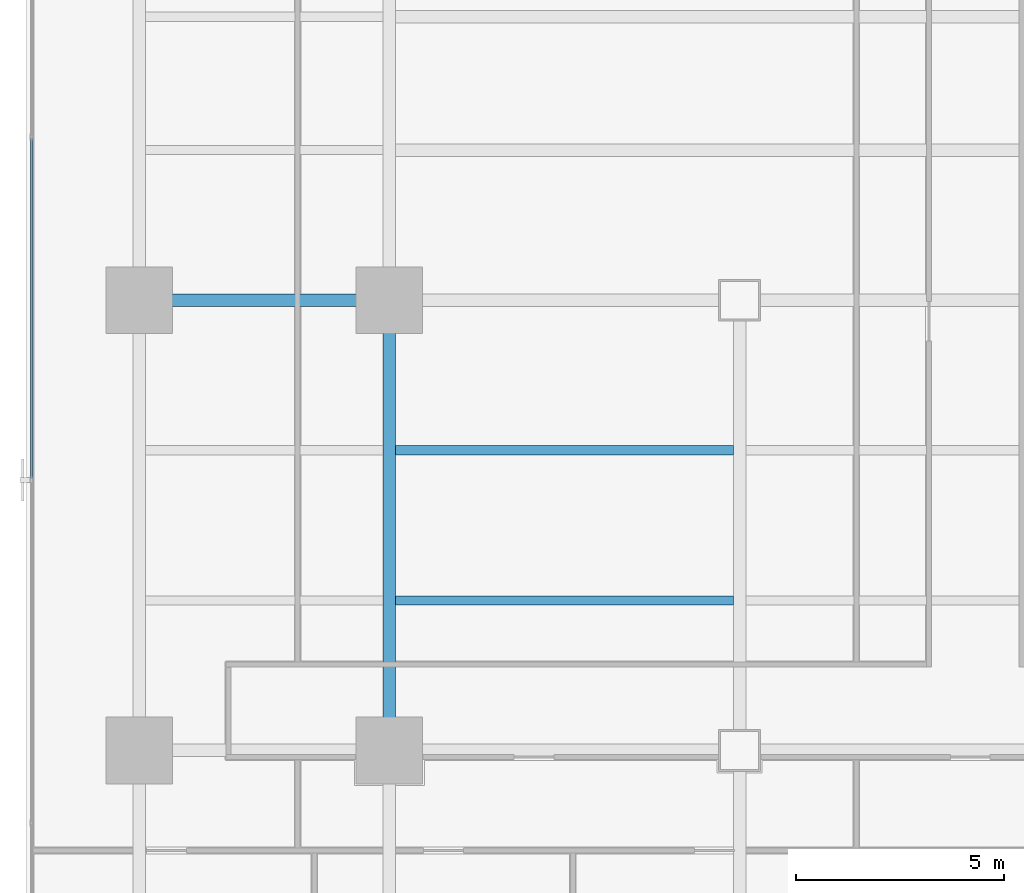
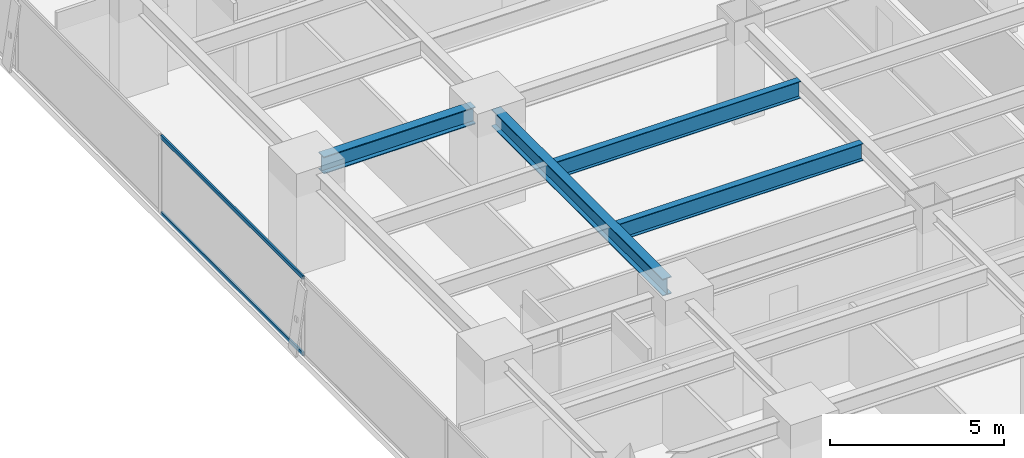
# One storey, part 9 of 36: 4 beams, 2 members, 1 element without a shape of its own.
"""IFC4 building model written with IfcOpenShell, lengths in metres."""

from ifc_helpers import new_model, si_unit, direction, frame, origin, origin_2d, place, context, subcontext, project, spatial, hollow_rectangle, i_section, extrude, source, transform, mapped, material, layer, layer_set, material_profile, profile_set, type_object, element, aggregate, save


model = new_model("IFC4")

# Units and contexts
model_context = context("Model", 3, precision=1e-05, world=origin(), true_north=direction((0.0, 1.0)))
body_context = subcontext(model_context, "Body", "Model", "MODEL_VIEW")
ifc_project = project(units=[si_unit("LENGTHUNIT", "METRE"), si_unit("AREAUNIT", "SQUARE_METRE"), si_unit("VOLUMEUNIT", "CUBIC_METRE"), si_unit("PLANEANGLEUNIT", "RADIAN"), si_unit("MASSUNIT", "GRAM", prefix="KILO")], contexts=[model_context])

# Site, building, storey
site_placement = place(None, origin())
site = spatial("IfcSite", under=ifc_project, at=site_placement, CompositionType="ELEMENT")
building_placement = place(site_placement, origin())
building = spatial("IfcBuilding", under=site, at=building_placement, Name="Sumidabori Civic Tower", CompositionType="ELEMENT")
storey_placement = place(building_placement, frame((0.0, 0.0, 84.800048828125)))
storey = spatial("IfcBuildingStorey", under=building, at=storey_placement, Name="L21", CompositionType="ELEMENT", Elevation=84.800048828125)

# Beams
ifc_material_1 = material(Name="Steel SN490", Category="steel")
ifc_material_profile_1 = material_profile(ifc_material_1, i_section(OverallWidth=0.300048828125, OverallDepth=0.60009765625, WebThickness=0.015380859375, FlangeThickness=0.030029296875, at=origin_2d()), Name="HE 600 B")
ifc_profile_set_1 = profile_set([ifc_material_profile_1], Name="Steel SN490")
beam_type_1 = type_object("IfcBeamType", Name="BM-GIRD-600", PredefinedType="BEAM", material=ifc_profile_set_1)
shared_shape_1 = source(origin(), body_context, "Body", "SweptSolid", [
    extrude(i_section(OverallWidth=0.300048828125, OverallDepth=0.60009765625, WebThickness=0.015380859375, FlangeThickness=0.030029296875, at=origin_2d()), origin(), (0.0, 0.0, 1.0), 5.0400390625),
])
beam_1_placement = place(storey_placement, frame((-22.320068359375, 0.0, 3.06005859375), z_axis=(1.0, 0.0, 0.0), x_axis=(0.0, 1.0, 0.0)))
element("IfcBeam", 1, at=beam_1_placement, inside=storey, type_object=beam_type_1, Name="Primary Girder L21 GX-13", PredefinedType="BEAM", context=body_context, shape_type="MappedRepresentation", body=[
    mapped(shared_shape_1, transform((0.0, 0.0, 0.0), x_axis=(1.0, 0.0, 0.0), y_axis=(0.0, 1.0, 0.0), z_axis=(0.0, 0.0, 1.0), scale=1.0)),
])
shared_shape_2 = source(origin(), body_context, "Body", "SweptSolid", [
    extrude(i_section(OverallWidth=0.300048828125, OverallDepth=0.60009765625, WebThickness=0.015380859375, FlangeThickness=0.030029296875, at=origin_2d()), origin(), (0.0, 0.0, 1.0), 9.840087890625),
])
beam_2_placement = place(storey_placement, frame((-16.800048828125, -10.320068359375, 3.06005859375), z_axis=(0.0, 1.0, 0.0), x_axis=(-1.0, 0.0, 0.0)))
element("IfcBeam", 2, at=beam_2_placement, inside=storey, type_object=beam_type_1, Name="Primary Girder L21 GY-26", PredefinedType="BEAM", context=body_context, shape_type="MappedRepresentation", body=[
    mapped(shared_shape_2, transform((0.0, 0.0, 0.0), x_axis=(1.0, 0.0, 0.0), y_axis=(0.0, 1.0, 0.0), z_axis=(0.0, 0.0, 1.0), scale=1.0)),
])
ifc_material_profile_2 = material_profile(ifc_material_1, i_section(OverallWidth=0.219970703125, OverallDepth=0.60009765625, WebThickness=0.011962890625, FlangeThickness=0.01904296875, at=origin_2d()), Name="IPE 600")
ifc_profile_set_2 = profile_set([ifc_material_profile_2], Name="Steel SN490")
beam_type_2 = type_object("IfcBeamType", Name="BM-JST-600", PredefinedType="JOIST", material=ifc_profile_set_2)
shared_shape_3 = source(origin(), body_context, "Body", "SweptSolid", [
    extrude(i_section(OverallWidth=0.219970703125, OverallDepth=0.60009765625, WebThickness=0.011962890625, FlangeThickness=0.01904296875, at=origin_2d()), origin(), (0.0, 0.0, 1.0), 8.099853515625),
])
for number, where, z_axis, x_axis, name in (
    (3, (-16.64990234375, -7.199951171875, 3.06005859375), (1.0, 0.0, 0.0), (0.0, 1.0, 0.0), "South Bay Floor Joist L21 JSTS-59"),
    (4, (-16.64990234375, -3.60009765625, 3.06005859375), (1.0, 0.0, 0.0), (0.0, 1.0, 0.0), "South Bay Floor Joist L21 JSTS-63"),
):
    element("IfcBeam", number, at=place(storey_placement, frame(where, z_axis=z_axis, x_axis=x_axis)), inside=storey, type_object=beam_type_2, Name=name, PredefinedType="JOIST", context=body_context, shape_type="MappedRepresentation", body=[
        mapped(shared_shape_3, transform((0.0, 0.0, 0.0), x_axis=(1.0, 0.0, 0.0), y_axis=(0.0, 1.0, 0.0), z_axis=(0.0, 0.0, 1.0), scale=1.0)),
    ])

# Curtain wall, members
ifc_material_2 = material(Name="Anodised Bronze Aluminium AW-6063-T6", Category="aluminium")
ifc_layer = layer(ifc_material_2, 0.179931640625, Name="Anodised Bronze Aluminium AW-6063-T6")
ifc_layer_set = layer_set([ifc_layer], Name="Anodised Bronze Aluminium AW-6063-T6")
curtain_wall_type = type_object("IfcCurtainWallType", Name="CW-SYS-3", PredefinedType="NOTDEFINED", material=ifc_layer_set)
curtain_wall_placement = place(storey_placement, origin())
curtain_wall = element("IfcCurtainWall", 5, at=curtain_wall_placement, inside=storey, type_object=curtain_wall_type, Name="Curtain Wall CW:L21:R10", PredefinedType="NOTDEFINED")
ifc_material_profile_3 = material_profile(ifc_material_2, hollow_rectangle(XDim=0.06005859375, YDim=0.1298828125, WallThickness=0.0048828125, at=origin_2d()), Name="ALU TRANSOM 130x60")
ifc_profile_set_3 = profile_set([ifc_material_profile_3], Name="Anodised Bronze Aluminium AW-6063-T6")
member_type = type_object("IfcMemberType", Name="CW-TRN-130", PredefinedType="USERDEFINED", material=ifc_profile_set_3)
shared_shape_4 = source(origin(), body_context, "Body", "SweptSolid", [
    extrude(hollow_rectangle(XDim=0.06005859375, YDim=0.1298828125, WallThickness=0.0048828125, at=origin_2d()), origin(), (0.0, 0.0, 1.0), 8.1630859375),
])
member_1_placement = place(storey_placement, frame((-25.3798828125, 3.881591796875, 0.030029296875), z_axis=(0.0, -1.0, 0.0), x_axis=(1.0, 0.0, 0.0)))
member_1 = element("IfcMember", 6, at=member_1_placement, type_object=member_type, Name="CW-3 transom 3.1", ObjectType="TRANSOM", PredefinedType="USERDEFINED", context=body_context, shape_type="MappedRepresentation", body=[
    mapped(shared_shape_4, transform((0.0, 0.0, 0.0), x_axis=(1.0, 0.0, 0.0), y_axis=(0.0, 1.0, 0.0), z_axis=(0.0, 0.0, 1.0), scale=1.0)),
])
member_2_placement = place(storey_placement, frame((-25.3798828125, 3.881591796875, 2.7099609375), z_axis=(0.0, -1.0, 0.0), x_axis=(1.0, 0.0, 0.0)))
member_2 = element("IfcMember", 7, at=member_2_placement, type_object=member_type, Name="CW-3 transom 3.2", ObjectType="TRANSOM", PredefinedType="USERDEFINED", context=body_context, shape_type="MappedRepresentation", body=[
    mapped(shared_shape_4, transform((0.0, 0.0, 0.0), x_axis=(1.0, 0.0, 0.0), y_axis=(0.0, 1.0, 0.0), z_axis=(0.0, 0.0, 1.0), scale=1.0)),
])
aggregate(curtain_wall, [member_1, member_2])

save(model, "model.ifc")
